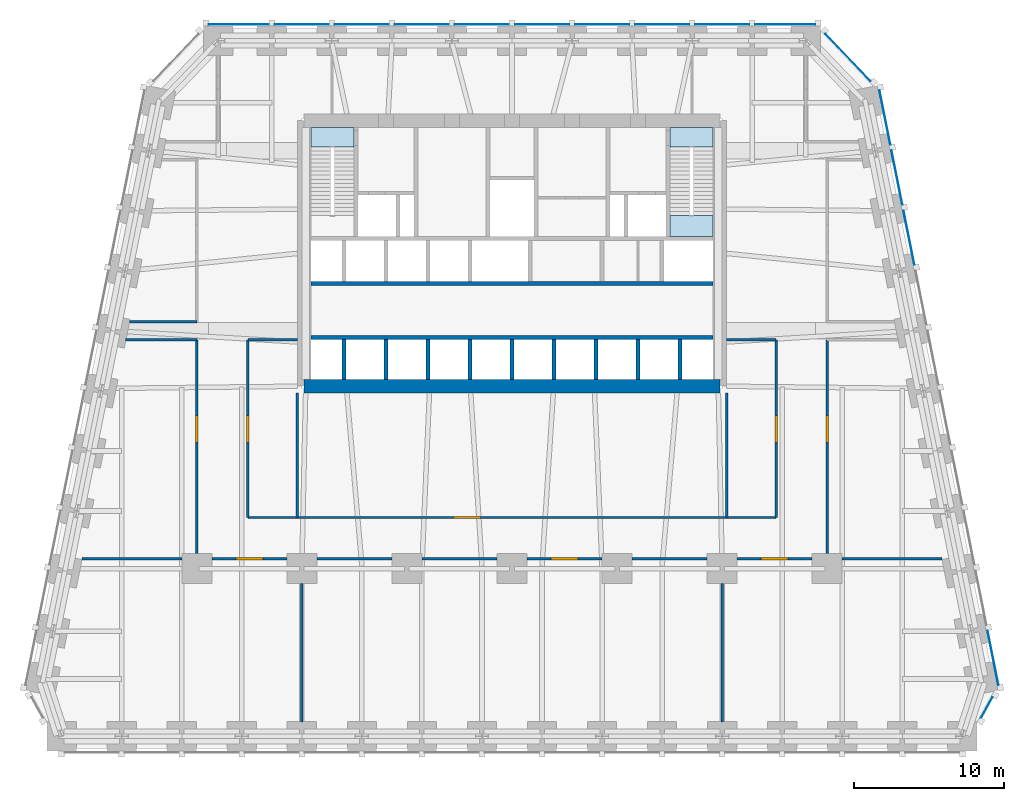
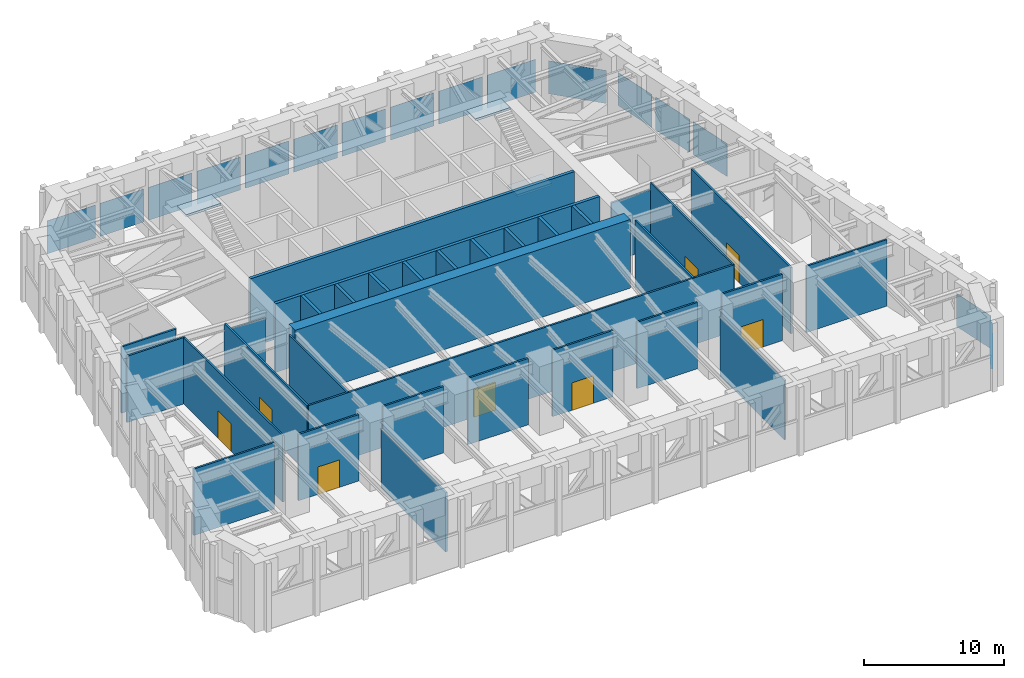
# One storey, part 6 of 9: 33 walls, 16 plates, 8 doors, 3 slabs, 8 openings, 6 elements without a shape of their own.
"""IFC4 building model written with IfcOpenShell, lengths in metres."""

from ifc_helpers import new_model, si_unit, direction, frame, frame_2d, origin, origin_2d, place, context, subcontext, project, spatial, polyline, rectangle, outline, extrude, material, layer, layer_set, type_object, element, fill, aggregate, save


model = new_model("IFC4")

# Units and contexts
model_context = context("Model", 3, precision=1e-05, world=origin(), true_north=direction((0.0, 1.0)))
body_context = subcontext(model_context, "Body", "Model", "MODEL_VIEW")
ifc_project = project(units=[si_unit("LENGTHUNIT", "METRE"), si_unit("AREAUNIT", "SQUARE_METRE"), si_unit("VOLUMEUNIT", "CUBIC_METRE"), si_unit("PLANEANGLEUNIT", "RADIAN"), si_unit("MASSUNIT", "GRAM", prefix="KILO")], contexts=[model_context])

# Site, building, storey
site_placement = place(None, origin())
site = spatial("IfcSite", under=ifc_project, at=site_placement, CompositionType="ELEMENT")
building_placement = place(site_placement, origin())
building = spatial("IfcBuilding", under=site, at=building_placement, Name="Isbrekke Arena Tower", CompositionType="ELEMENT")
storey_placement = place(building_placement, frame((0.0, 0.0, 92.0)))
storey = spatial("IfcBuildingStorey", under=building, at=storey_placement, Name="L20", CompositionType="ELEMENT", Elevation=92.0)

# Curtain wall, plate
ifc_material_1 = material(Name="Glazed aluminium curtain wall", Category="aluminium")
curtain_wall_type = type_object("IfcCurtainWallType", Name="CWR PLANT LOUVRE WALL", PredefinedType="USERDEFINED", material=ifc_material_1)
curtain_wall_1_placement = place(storey_placement, origin())
curtain_wall_1 = element("IfcCurtainWall", 1, at=curtain_wall_1_placement, inside=storey, type_object=curtain_wall_type, Name="CWR curtain wall L20-SE", ObjectType="PLANT LOUVRE WALL", PredefinedType="USERDEFINED")
ifc_material_2 = material(Name="Aluminium louvre", Category="aluminium")
ifc_layer_1 = layer(ifc_material_2, 0.031982421875)
ifc_layer_set_1 = layer_set([ifc_layer_1], Name="CWR-P LOUVRE PANEL")
plate_type = type_object("IfcPlateType", Name="CWR-P LOUVRE PANEL", PredefinedType="CURTAIN_PANEL", material=ifc_layer_set_1)
plate_1_placement = place(storey_placement, frame((31.62744140625, -15.24853515625, 0.02001953125), z_axis=(0.0, 0.0, 1.0), x_axis=(0.481918749773, 0.876215908676, 0.0)))
plate_1 = element("IfcPlate", 2, at=plate_1_placement, type_object=plate_type, Name="CWR-P panel 1", PredefinedType="CURTAIN_PANEL", context=body_context, shape_type="SweptSolid", body=[
    extrude(rectangle(XDim=1.55322265625, YDim=0.031982421875, at=origin_2d()), origin(), (0.0, 0.0, 1.0), 2.8798828125),
])
aggregate(curtain_wall_1, [plate_1])

# Curtain wall, plates
curtain_wall_2_placement = place(storey_placement, origin())
curtain_wall_2 = element("IfcCurtainWall", 3, at=curtain_wall_2_placement, inside=storey, type_object=curtain_wall_type, Name="CWR curtain wall L20-E", ObjectType="PLANT LOUVRE WALL", PredefinedType="USERDEFINED")
plate_2_placement = place(storey_placement, frame((32.045166015625, -11.950927734375, 0.02001953125), z_axis=(0.0, 0.0, 1.0), x_axis=(-0.196116135138, 0.980580675691, 0.0)))
plate_2 = element("IfcPlate", 4, at=plate_2_placement, type_object=plate_type, Name="CWR-P panel 1", PredefinedType="CURTAIN_PANEL", context=body_context, shape_type="SweptSolid", body=[
    extrude(rectangle(XDim=3.67919921875, YDim=0.031982421875, at=origin_2d()), origin(), (0.0, 0.0, 1.0), 2.8798828125),
])
plate_3_placement = place(storey_placement, frame((26.445068359375, 16.049072265625, 0.02001953125), z_axis=(0.0, 0.0, 1.0), x_axis=(-0.196116135138, 0.980580675691, 0.0)))
plate_3 = element("IfcPlate", 5, at=plate_3_placement, type_object=plate_type, Name="CWR-P panel 8", PredefinedType="CURTAIN_PANEL", context=body_context, shape_type="SweptSolid", body=[
    extrude(rectangle(XDim=3.67919921875, YDim=0.031982421875, at=origin_2d()), origin(), (0.0, 0.0, 1.0), 2.8798828125),
])
plate_4_placement = place(storey_placement, frame((25.645263671875, 20.049072265625, 0.02001953125), z_axis=(0.0, 0.0, 1.0), x_axis=(-0.196116135138, 0.980580675691, 0.0)))
plate_4 = element("IfcPlate", 6, at=plate_4_placement, type_object=plate_type, Name="CWR-P panel 9", PredefinedType="CURTAIN_PANEL", context=body_context, shape_type="SweptSolid", body=[
    extrude(rectangle(XDim=3.67919921875, YDim=0.031982421875, at=origin_2d()), origin(), (0.0, 0.0, 1.0), 2.8798828125),
])
plate_5_placement = place(storey_placement, frame((24.84521484375, 24.049072265625, 0.02001953125), z_axis=(0.0, 0.0, 1.0), x_axis=(-0.196116135138, 0.980580675691, 0.0)))
plate_5 = element("IfcPlate", 7, at=plate_5_placement, type_object=plate_type, Name="CWR-P panel 10", PredefinedType="CURTAIN_PANEL", context=body_context, shape_type="SweptSolid", body=[
    extrude(rectangle(XDim=3.67919921875, YDim=0.031982421875, at=origin_2d()), origin(), (0.0, 0.0, 1.0), 2.8798828125),
])
aggregate(curtain_wall_2, [plate_2, plate_3, plate_4, plate_5])

# Curtain wall, plate
curtain_wall_3_placement = place(storey_placement, origin())
curtain_wall_3 = element("IfcCurtainWall", 8, at=curtain_wall_3_placement, inside=storey, type_object=curtain_wall_type, Name="CWR curtain wall L20-EN", ObjectType="PLANT LOUVRE WALL", PredefinedType="USERDEFINED")
plate_6_placement = place(storey_placement, frame((22.386474609375, 28.05419921875, 0.02001953125), z_axis=(0.0, 0.0, 1.0), x_axis=(-0.68874946192, 0.72499943359, 0.0)))
plate_6 = element("IfcPlate", 9, at=plate_6_placement, type_object=plate_type, Name="CWR-P panel 1", PredefinedType="CURTAIN_PANEL", context=body_context, shape_type="SweptSolid", body=[
    extrude(rectangle(XDim=4.3291015625, YDim=0.031982421875, at=origin_2d()), origin(), (0.0, 0.0, 1.0), 2.8798828125),
])
aggregate(curtain_wall_3, [plate_6])

# Curtain wall, plates
curtain_wall_4_placement = place(storey_placement, origin())
curtain_wall_4 = element("IfcCurtainWall", 10, at=curtain_wall_4_placement, inside=storey, type_object=curtain_wall_type, Name="CWR curtain wall L20-N", ObjectType="PLANT LOUVRE WALL", PredefinedType="USERDEFINED")
plate_7_placement = place(storey_placement, frame((18.199951171875, 30.25, 0.02001953125), z_axis=(0.0, 0.0, 1.0), x_axis=(-1.0, 0.0, 0.0)))
plate_7 = element("IfcPlate", 11, at=plate_7_placement, type_object=plate_type, Name="CWR-P panel 1", PredefinedType="CURTAIN_PANEL", context=body_context, shape_type="SweptSolid", body=[
    extrude(rectangle(XDim=4.0, YDim=0.031982421875, at=origin_2d()), origin(), (0.0, 0.0, 1.0), 2.8798828125),
])
plate_8_placement = place(storey_placement, frame((14.0, 30.25, 0.02001953125), z_axis=(0.0, 0.0, 1.0), x_axis=(-1.0, 0.0, 0.0)))
plate_8 = element("IfcPlate", 12, at=plate_8_placement, type_object=plate_type, Name="CWR-P panel 2", PredefinedType="CURTAIN_PANEL", context=body_context, shape_type="SweptSolid", body=[
    extrude(rectangle(XDim=3.60009765625, YDim=0.031982421875, at=origin_2d()), origin(), (0.0, 0.0, 1.0), 2.8798828125),
])
plate_9_placement = place(storey_placement, frame((10.0, 30.25, 0.02001953125), z_axis=(0.0, 0.0, 1.0), x_axis=(-1.0, 0.0, 0.0)))
plate_9 = element("IfcPlate", 13, at=plate_9_placement, type_object=plate_type, Name="CWR-P panel 3", PredefinedType="CURTAIN_PANEL", context=body_context, shape_type="SweptSolid", body=[
    extrude(rectangle(XDim=3.60009765625, YDim=0.031982421875, at=origin_2d()), origin(), (0.0, 0.0, 1.0), 2.8798828125),
])
plate_10_placement = place(storey_placement, frame((6.0, 30.25, 0.02001953125), z_axis=(0.0, 0.0, 1.0), x_axis=(-1.0, 0.0, 0.0)))
plate_10 = element("IfcPlate", 14, at=plate_10_placement, type_object=plate_type, Name="CWR-P panel 4", PredefinedType="CURTAIN_PANEL", context=body_context, shape_type="SweptSolid", body=[
    extrude(rectangle(XDim=3.60009765625, YDim=0.031982421875, at=origin_2d()), origin(), (0.0, 0.0, 1.0), 2.8798828125),
])
plate_11_placement = place(storey_placement, frame((2.0, 30.25, 0.02001953125), z_axis=(0.0, 0.0, 1.0), x_axis=(-1.0, 0.0, 0.0)))
plate_11 = element("IfcPlate", 15, at=plate_11_placement, type_object=plate_type, Name="CWR-P panel 5", PredefinedType="CURTAIN_PANEL", context=body_context, shape_type="SweptSolid", body=[
    extrude(rectangle(XDim=3.60009765625, YDim=0.031982421875, at=origin_2d()), origin(), (0.0, 0.0, 1.0), 2.8798828125),
])
plate_12_placement = place(storey_placement, frame((-2.0, 30.25, 0.02001953125), z_axis=(0.0, 0.0, 1.0), x_axis=(-1.0, 0.0, 0.0)))
plate_12 = element("IfcPlate", 16, at=plate_12_placement, type_object=plate_type, Name="CWR-P panel 6", PredefinedType="CURTAIN_PANEL", context=body_context, shape_type="SweptSolid", body=[
    extrude(rectangle(XDim=3.60009765625, YDim=0.031982421875, at=origin_2d()), origin(), (0.0, 0.0, 1.0), 2.8798828125),
])
plate_13_placement = place(storey_placement, frame((-6.0, 30.25, 0.02001953125), z_axis=(0.0, 0.0, 1.0), x_axis=(-1.0, 0.0, 0.0)))
plate_13 = element("IfcPlate", 17, at=plate_13_placement, type_object=plate_type, Name="CWR-P panel 7", PredefinedType="CURTAIN_PANEL", context=body_context, shape_type="SweptSolid", body=[
    extrude(rectangle(XDim=3.60009765625, YDim=0.031982421875, at=origin_2d()), origin(), (0.0, 0.0, 1.0), 2.8798828125),
])
plate_14_placement = place(storey_placement, frame((-10.0, 30.25, 0.02001953125), z_axis=(0.0, 0.0, 1.0), x_axis=(-1.0, 0.0, 0.0)))
plate_14 = element("IfcPlate", 18, at=plate_14_placement, type_object=plate_type, Name="CWR-P panel 8", PredefinedType="CURTAIN_PANEL", context=body_context, shape_type="SweptSolid", body=[
    extrude(rectangle(XDim=3.60009765625, YDim=0.031982421875, at=origin_2d()), origin(), (0.0, 0.0, 1.0), 2.8798828125),
])
plate_15_placement = place(storey_placement, frame((-14.0, 30.25, 0.02001953125), z_axis=(0.0, 0.0, 1.0), x_axis=(-1.0, 0.0, 0.0)))
plate_15 = element("IfcPlate", 19, at=plate_15_placement, type_object=plate_type, Name="CWR-P panel 9", PredefinedType="CURTAIN_PANEL", context=body_context, shape_type="SweptSolid", body=[
    extrude(rectangle(XDim=3.60009765625, YDim=0.031982421875, at=origin_2d()), origin(), (0.0, 0.0, 1.0), 2.8798828125),
])
plate_16_placement = place(storey_placement, frame((-18.199951171875, 30.25, 0.02001953125), z_axis=(0.0, 0.0, 1.0), x_axis=(-1.0, 0.0, 0.0)))
plate_16 = element("IfcPlate", 20, at=plate_16_placement, type_object=plate_type, Name="CWR-P panel 10", PredefinedType="CURTAIN_PANEL", context=body_context, shape_type="SweptSolid", body=[
    extrude(rectangle(XDim=4.0, YDim=0.031982421875, at=origin_2d()), origin(), (0.0, 0.0, 1.0), 2.8798828125),
])
aggregate(curtain_wall_4, [plate_7, plate_8, plate_9, plate_10, plate_11, plate_12, plate_13, plate_14, plate_15, plate_16])

# Stair, slab
ifc_material_3 = material(Name="Concrete B45 (C45/55) precast", Category="concrete")
stair_type = type_object("IfcStairType", Name="ST60 STAIR 1300 WIDE, 36 RISERS 167", PredefinedType="HALF_TURN_STAIR", material=ifc_material_3)
stair_1_placement = place(storey_placement, origin())
stair_1 = element("IfcStair", 21, at=stair_1_placement, inside=storey, type_object=stair_type, Name="ST1 stair L20", PredefinedType="HALF_TURN_STAIR")
ifc_material_4 = material(Name="Concrete B35 (C35/45)", Category="concrete")
ifc_layer_2 = layer(ifc_material_4, 0.199951171875)
ifc_layer_set_2 = layer_set([ifc_layer_2], Name="SL1 STAIR LANDING 200")
slab_type = type_object("IfcSlabType", Name="SL1 STAIR LANDING 200", PredefinedType="LANDING", material=ifc_layer_set_2)
slab_1_placement = place(storey_placement, frame((0.0, 0.0, 5.800048828125)))
slab_1 = element("IfcSlab", 22, at=slab_1_placement, type_object=slab_type, Name="ST1 landing 2", PredefinedType="LANDING", context=body_context, shape_type="SweptSolid", body=[
    extrude(outline(polyline([(-13.39990234375, 22.10009765625), (-10.52490234375, 22.10009765625), (-10.52490234375, 23.39990234375), (-13.39990234375, 23.39990234375), (-13.39990234375, 22.10009765625)])), origin(), (0.0, 0.0, 1.0), 0.199951171875),
])
aggregate(stair_1, [slab_1])

# Stair, slabs
stair_2_placement = place(storey_placement, origin())
stair_2 = element("IfcStair", 23, at=stair_2_placement, inside=storey, type_object=stair_type, Name="ST2 stair L20", PredefinedType="HALF_TURN_STAIR")
slab_2_placement = place(storey_placement, frame((0.0, 0.0, 2.800048828125)))
slab_2 = element("IfcSlab", 24, at=slab_2_placement, type_object=slab_type, Name="ST2 landing 1", PredefinedType="LANDING", context=body_context, shape_type="SweptSolid", body=[
    extrude(outline(polyline([(10.52490234375, 16.125), (13.39990234375, 16.125), (13.39990234375, 17.510009765625), (10.52490234375, 17.510009765625), (10.52490234375, 16.125)])), origin(), (0.0, 0.0, 1.0), 0.199951171875),
])
slab_3_placement = place(storey_placement, frame((0.0, 0.0, 5.800048828125)))
slab_3 = element("IfcSlab", 25, at=slab_3_placement, type_object=slab_type, Name="ST2 landing 2", PredefinedType="LANDING", context=body_context, shape_type="SweptSolid", body=[
    extrude(outline(polyline([(10.52490234375, 22.10009765625), (13.39990234375, 22.10009765625), (13.39990234375, 23.39990234375), (10.52490234375, 23.39990234375), (10.52490234375, 22.10009765625)])), origin(), (0.0, 0.0, 1.0), 0.199951171875),
])
aggregate(stair_2, [slab_2, slab_3])

# Walls
ifc_material_5 = material(Name="Concrete B65 (C65/80)", Category="concrete")
ifc_layer_3 = layer(ifc_material_5, 0.89990234375)
ifc_layer_set_3 = layer_set([ifc_layer_3], Name="CW2 CORE WALL 900")
wall_type_1 = type_object("IfcWallType", Name="CW2 CORE WALL 900", PredefinedType="SHEAR", material=ifc_layer_set_3)
wall_1_placement = place(storey_placement, frame((-13.85009765625, 6.14990234375, 0.0), z_axis=(0.0, 0.0, 1.0), x_axis=(1.0, 0.0, 0.0)))
element("IfcWall", 26, at=wall_1_placement, inside=storey, type_object=wall_type_1, Name="Core wall S L20", PredefinedType="SHEAR", context=body_context, shape_type="SweptSolid", body=[
    extrude(rectangle(XDim=27.7001953125, YDim=0.89990234375, at=frame_2d((13.85009765625, 0.0))), origin(), (0.0, 0.0, 1.0), 6.0),
])
ifc_material_6 = material(Name="Concrete B45 (C45/55)", Category="concrete")
ifc_layer_4 = layer(ifc_material_6, 0.25)
ifc_layer_set_4 = layer_set([ifc_layer_4], Name="CW6 SHAFT WALL 250")
wall_type_2 = type_object("IfcWallType", Name="CW6 SHAFT WALL 250", PredefinedType="SHEAR", material=ifc_layer_set_4)
for number, where, z_axis, x_axis, name in (
    (27, (-13.39990234375, 9.39990234375, 0.0), (0.0, 0.0, 1.0), (1.0, 0.0, 0.0), "Core wall LS L20"),
    (28, (-13.39990234375, 13.0, 0.0), (0.0, 0.0, 1.0), (1.0, 0.0, 0.0), "Core wall LN L20"),
):
    element("IfcWall", number, at=place(storey_placement, frame(where, z_axis=z_axis, x_axis=x_axis)), inside=storey, type_object=wall_type_2, Name=name, PredefinedType="SHEAR", context=body_context, shape_type="SweptSolid", body=[
        extrude(rectangle(XDim=26.7998046875, YDim=0.25, at=frame_2d((13.39990234375, 0.0))), origin(), (0.0, 0.0, 1.0), 6.0),
    ])
for number, where, z_axis, x_axis, name in (
    (29, (-11.199951171875, 6.60009765625, 0.0), (0.0, 0.0, 1.0), (0.0, 1.0, 0.0), "Core wall SS01 L20"),
    (30, (-8.39990234375, 6.60009765625, 0.0), (0.0, 0.0, 1.0), (0.0, 1.0, 0.0), "Core wall SS02 L20"),
    (31, (-5.60009765625, 6.60009765625, 0.0), (0.0, 0.0, 1.0), (0.0, 1.0, 0.0), "Core wall SS03 L20"),
    (32, (-2.800048828125, 6.60009765625, 0.0), (0.0, 0.0, 1.0), (0.0, 1.0, 0.0), "Core wall SS04 L20"),
    (33, (0.0, 6.60009765625, 0.0), (0.0, 0.0, 1.0), (0.0, 1.0, 0.0), "Core wall SS05 L20"),
    (34, (2.800048828125, 6.60009765625, 0.0), (0.0, 0.0, 1.0), (0.0, 1.0, 0.0), "Core wall SS06 L20"),
    (35, (5.60009765625, 6.60009765625, 0.0), (0.0, 0.0, 1.0), (0.0, 1.0, 0.0), "Core wall SS07 L20"),
    (36, (8.39990234375, 6.60009765625, 0.0), (0.0, 0.0, 1.0), (0.0, 1.0, 0.0), "Core wall SS08 L20"),
    (37, (11.199951171875, 6.60009765625, 0.0), (0.0, 0.0, 1.0), (0.0, 1.0, 0.0), "Core wall SS09 L20"),
):
    element("IfcWall", number, at=place(storey_placement, frame(where, z_axis=z_axis, x_axis=x_axis)), inside=storey, type_object=wall_type_2, Name=name, PredefinedType="SHEAR", context=body_context, shape_type="SweptSolid", body=[
        extrude(rectangle(XDim=2.6748046875, YDim=0.25, at=frame_2d((1.33740234375, 0.0))), origin(), (0.0, 0.0, 1.0), 6.0),
    ])

# Wall, opening, door
ifc_material_7 = material(Name="Gypsum board fire-rated partition on steel studs, two layers each side", Category="steel")
ifc_layer_5 = layer(ifc_material_7, 0.14990234375)
ifc_layer_set_5 = layer_set([ifc_layer_5], Name="IW5 FIRE-RATED PARTITION 150")
wall_type_3 = type_object("IfcWallType", Name="IW5 FIRE-RATED PARTITION 150", PredefinedType="PARTITIONING", material=ifc_layer_set_5)
wall_2_placement = place(storey_placement, frame((17.60009765625, -2.60009765625, 0.0), z_axis=(0.0, 0.0, 1.0), x_axis=(0.0, 1.0, 0.0)))
wall_2 = element("IfcWall", 38, at=wall_2_placement, inside=storey, type_object=wall_type_3, Name="IW5 fire-rated partition L20 plant WEA", PredefinedType="PARTITIONING", context=body_context, shape_type="SweptSolid", body=[
    extrude(rectangle(XDim=11.840087890625, YDim=0.14990234375, at=frame_2d((5.919921875, 0.0))), origin(), (0.0, 0.0, 1.0), 5.800048828125),
])
opening_1_placement = place(wall_2_placement, frame((5.0, 0.0, 0.0)))
opening_1 = element("IfcOpeningElement", 39, at=opening_1_placement, cuts=wall_2, Name="Opening D8", PredefinedType="OPENING", context=body_context, shape_type="SweptSolid", body=[
    extrude(rectangle(XDim=1.800048828125, YDim=2.39990234375, at=frame_2d((0.89990234375, 1.199951171875))), frame((0.0, 0.08984375, 0.0), z_axis=(0.0, -1.0, 0.0), x_axis=(1.0, 0.0, 0.0)), (0.0, 0.0, 1.0), 0.1796875),
])
ifc_material_8 = material(Name="Steel fire door", Category="steel")
door_type = type_object("IfcDoorType", Name="D8 PLANT ROOM DOOR 1800 x 2400", OperationType="DOUBLE_DOOR_SINGLE_SWING", PredefinedType="DOOR", material=ifc_material_8)
door_1_placement = place(opening_1_placement, origin())
door_1 = element("IfcDoor", 40, at=door_1_placement, inside=storey, type_object=door_type, Name="D8 electrical switch room door L20", OperationType="DOUBLE_DOOR_SINGLE_SWING", OverallHeight=2.39990234375, OverallWidth=1.800048828125, PredefinedType="DOOR", context=body_context, shape_type="SweptSolid", body=[
    extrude(rectangle(XDim=1.800048828125, YDim=2.39990234375, at=frame_2d((0.89990234375, 1.199951171875))), frame((0.0, 0.07470703125, 0.0), z_axis=(0.0, -1.0, 0.0), x_axis=(1.0, 0.0, 0.0)), (0.0, 0.0, 1.0), 0.1494140625),
])
fill(opening_1, door_1)

wall_3_placement = place(storey_placement, frame((21.0, -5.0, 0.0), z_axis=(0.0, 0.0, 1.0), x_axis=(0.0, 1.0, 0.0)))
wall_3 = element("IfcWall", 41, at=wall_3_placement, inside=storey, type_object=wall_type_3, Name="IW5 fire-rated partition L20 plant WEB", PredefinedType="PARTITIONING", context=body_context, shape_type="SweptSolid", body=[
    extrude(rectangle(XDim=14.239990234375, YDim=0.14990234375, at=frame_2d((7.1201171875, 0.0))), origin(), (0.0, 0.0, 1.0), 5.800048828125),
])
opening_2_placement = place(wall_3_placement, frame((7.39990234375, 0.0, 0.0)))
opening_2 = element("IfcOpeningElement", 42, at=opening_2_placement, cuts=wall_3, Name="Opening D8", PredefinedType="OPENING", context=body_context, shape_type="SweptSolid", body=[
    extrude(rectangle(XDim=1.800048828125, YDim=2.39990234375, at=frame_2d((0.89990234375, 1.199951171875))), frame((0.0, 0.08984375, 0.0), z_axis=(0.0, -1.0, 0.0), x_axis=(1.0, 0.0, 0.0)), (0.0, 0.0, 1.0), 0.1796875),
])
door_2_placement = place(opening_2_placement, origin())
door_2 = element("IfcDoor", 43, at=door_2_placement, inside=storey, type_object=door_type, Name="D8 chilled water plant room door L20", OperationType="DOUBLE_DOOR_SINGLE_SWING", OverallHeight=2.39990234375, OverallWidth=1.800048828125, PredefinedType="DOOR", context=body_context, shape_type="SweptSolid", body=[
    extrude(rectangle(XDim=1.800048828125, YDim=2.39990234375, at=frame_2d((0.89990234375, 1.199951171875))), frame((0.0, 0.07470703125, 0.0), z_axis=(0.0, -1.0, 0.0), x_axis=(1.0, 0.0, 0.0)), (0.0, 0.0, 1.0), 0.1494140625),
])
fill(opening_2, door_2)

# Walls
wall_4_placement = place(storey_placement, frame((14.300048828125, -2.60009765625, 0.0), z_axis=(0.0, 0.0, 1.0), x_axis=(0.0, 1.0, 0.0)))
element("IfcWall", 44, at=wall_4_placement, inside=storey, type_object=wall_type_3, Name="IW5 fire-rated partition L20 plant WED", PredefinedType="PARTITIONING", context=body_context, shape_type="SweptSolid", body=[
    extrude(rectangle(XDim=8.300048828125, YDim=0.14990234375, at=frame_2d((4.14990234375, 0.0))), origin(), (0.0, 0.0, 1.0), 5.800048828125),
])
wall_5_placement = place(storey_placement, frame((14.300048828125, 9.239990234375, 0.0), z_axis=(0.0, 0.0, 1.0), x_axis=(1.0, 0.0, 0.0)))
element("IfcWall", 45, at=wall_5_placement, inside=storey, type_object=wall_type_3, Name="IW5 fire-rated partition L20 plant WEE", PredefinedType="PARTITIONING", context=body_context, shape_type="SweptSolid", body=[
    extrude(rectangle(XDim=3.300048828125, YDim=0.14990234375, at=frame_2d((1.64990234375, 0.0))), origin(), (0.0, 0.0, 1.0), 5.178955078125),
])
wall_6_placement = place(storey_placement, frame((14.0, -7.0, 0.0), z_axis=(0.0, 0.0, 1.0), x_axis=(0.0, -1.0, 0.0)))
element("IfcWall", 46, at=wall_6_placement, inside=storey, type_object=wall_type_3, Name="IW5 fire-rated partition L20 plant WEL", PredefinedType="PARTITIONING", context=body_context, shape_type="SweptSolid", body=[
    extrude(rectangle(XDim=9.219970703125, YDim=0.14990234375, at=frame_2d((4.60986328125, 0.0))), origin(), (0.0, 0.0, 1.0), 5.178955078125),
])

# Wall, opening, door
wall_7_placement = place(storey_placement, frame((-17.60009765625, -2.60009765625, 0.0), z_axis=(0.0, 0.0, 1.0), x_axis=(0.0, 1.0, 0.0)))
wall_7 = element("IfcWall", 47, at=wall_7_placement, inside=storey, type_object=wall_type_3, Name="IW5 fire-rated partition L20 plant WWA", PredefinedType="PARTITIONING", context=body_context, shape_type="SweptSolid", body=[
    extrude(rectangle(XDim=11.840087890625, YDim=0.14990234375, at=frame_2d((5.919921875, 0.0))), origin(), (0.0, 0.0, 1.0), 5.800048828125),
])
opening_3_placement = place(wall_7_placement, frame((5.0, 0.0, 0.0)))
opening_3 = element("IfcOpeningElement", 48, at=opening_3_placement, cuts=wall_7, Name="Opening D8", PredefinedType="OPENING", context=body_context, shape_type="SweptSolid", body=[
    extrude(rectangle(XDim=1.800048828125, YDim=2.39990234375, at=frame_2d((0.89990234375, 1.199951171875))), frame((0.0, 0.08984375, 0.0), z_axis=(0.0, -1.0, 0.0), x_axis=(1.0, 0.0, 0.0)), (0.0, 0.0, 1.0), 0.1796875),
])
door_3_placement = place(opening_3_placement, origin())
door_3 = element("IfcDoor", 49, at=door_3_placement, inside=storey, type_object=door_type, Name="D8 transformer and switch room door L20", OperationType="DOUBLE_DOOR_SINGLE_SWING", OverallHeight=2.39990234375, OverallWidth=1.800048828125, PredefinedType="DOOR", context=body_context, shape_type="SweptSolid", body=[
    extrude(rectangle(XDim=1.800048828125, YDim=2.39990234375, at=frame_2d((0.89990234375, 1.199951171875))), frame((0.0, 0.07470703125, 0.0), z_axis=(0.0, -1.0, 0.0), x_axis=(1.0, 0.0, 0.0)), (0.0, 0.0, 1.0), 0.1494140625),
])
fill(opening_3, door_3)

wall_8_placement = place(storey_placement, frame((-21.0, -5.0, 0.0), z_axis=(0.0, 0.0, 1.0), x_axis=(0.0, 1.0, 0.0)))
wall_8 = element("IfcWall", 50, at=wall_8_placement, inside=storey, type_object=wall_type_3, Name="IW5 fire-rated partition L20 plant WWB", PredefinedType="PARTITIONING", context=body_context, shape_type="SweptSolid", body=[
    extrude(rectangle(XDim=14.239990234375, YDim=0.14990234375, at=frame_2d((7.1201171875, 0.0))), origin(), (0.0, 0.0, 1.0), 5.800048828125),
])
opening_4_placement = place(wall_8_placement, frame((7.39990234375, 0.0, 0.0)))
opening_4 = element("IfcOpeningElement", 51, at=opening_4_placement, cuts=wall_8, Name="Opening D8", PredefinedType="OPENING", context=body_context, shape_type="SweptSolid", body=[
    extrude(rectangle(XDim=1.800048828125, YDim=2.39990234375, at=frame_2d((0.89990234375, 1.199951171875))), frame((0.0, 0.08984375, 0.0), z_axis=(0.0, -1.0, 0.0), x_axis=(1.0, 0.0, 0.0)), (0.0, 0.0, 1.0), 0.1796875),
])
door_4_placement = place(opening_4_placement, origin())
door_4 = element("IfcDoor", 52, at=door_4_placement, inside=storey, type_object=door_type, Name="D8 smoke extract plant room door L20", OperationType="DOUBLE_DOOR_SINGLE_SWING", OverallHeight=2.39990234375, OverallWidth=1.800048828125, PredefinedType="DOOR", context=body_context, shape_type="SweptSolid", body=[
    extrude(rectangle(XDim=1.800048828125, YDim=2.39990234375, at=frame_2d((0.89990234375, 1.199951171875))), frame((0.0, 0.07470703125, 0.0), z_axis=(0.0, -1.0, 0.0), x_axis=(1.0, 0.0, 0.0)), (0.0, 0.0, 1.0), 0.1494140625),
])
fill(opening_4, door_4)

# Walls
wall_9_placement = place(storey_placement, frame((-14.300048828125, -2.60009765625, 0.0), z_axis=(0.0, 0.0, 1.0), x_axis=(0.0, 1.0, 0.0)))
element("IfcWall", 53, at=wall_9_placement, inside=storey, type_object=wall_type_3, Name="IW5 fire-rated partition L20 plant WWD", PredefinedType="PARTITIONING", context=body_context, shape_type="SweptSolid", body=[
    extrude(rectangle(XDim=8.300048828125, YDim=0.14990234375, at=frame_2d((4.14990234375, 0.0))), origin(), (0.0, 0.0, 1.0), 5.800048828125),
])
wall_10_placement = place(storey_placement, frame((-14.300048828125, 9.239990234375, 0.0), z_axis=(0.0, 0.0, 1.0), x_axis=(-1.0, 0.0, 0.0)))
element("IfcWall", 54, at=wall_10_placement, inside=storey, type_object=wall_type_3, Name="IW5 fire-rated partition L20 plant WWE", PredefinedType="PARTITIONING", context=body_context, shape_type="SweptSolid", body=[
    extrude(rectangle(XDim=3.300048828125, YDim=0.14990234375, at=frame_2d((1.64990234375, 0.0))), origin(), (0.0, 0.0, 1.0), 5.178955078125),
])
wall_11_placement = place(storey_placement, frame((-21.0, 9.239990234375, 0.0), z_axis=(0.0, 0.0, 1.0), x_axis=(-1.0, 0.0, 0.0)))
element("IfcWall", 55, at=wall_11_placement, inside=storey, type_object=wall_type_3, Name="IW5 fire-rated partition L20 plant WWF", PredefinedType="PARTITIONING", context=body_context, shape_type="SweptSolid", body=[
    extrude(rectangle(XDim=4.73681640625, YDim=0.14990234375, at=frame_2d((2.368408203125, 0.0))), origin(), (0.0, 0.0, 1.0), 5.800048828125),
])
wall_12_placement = place(storey_placement, frame((-21.0, 10.43994140625, 0.0), z_axis=(0.0, 0.0, 1.0), x_axis=(-1.0, 0.0, 0.0)))
element("IfcWall", 56, at=wall_12_placement, inside=storey, type_object=wall_type_3, Name="IW5 fire-rated partition L20 plant WWG", PredefinedType="PARTITIONING", context=body_context, shape_type="SweptSolid", body=[
    extrude(rectangle(XDim=4.49658203125, YDim=0.14990234375, at=frame_2d((2.248291015625, 0.0))), origin(), (0.0, 0.0, 1.0), 5.800048828125),
])
wall_13_placement = place(storey_placement, frame((-14.0, -7.0, 0.0), z_axis=(0.0, 0.0, 1.0), x_axis=(0.0, -1.0, 0.0)))
element("IfcWall", 57, at=wall_13_placement, inside=storey, type_object=wall_type_3, Name="IW5 fire-rated partition L20 plant WWL", PredefinedType="PARTITIONING", context=body_context, shape_type="SweptSolid", body=[
    extrude(rectangle(XDim=9.219970703125, YDim=0.14990234375, at=frame_2d((4.60986328125, 0.0))), origin(), (0.0, 0.0, 1.0), 5.178955078125),
])
wall_14_placement = place(storey_placement, frame((-28.65478515625, -5.35009765625, 0.0), z_axis=(0.0, 0.0, 1.0), x_axis=(1.0, 0.0, 0.0)))
element("IfcWall", 58, at=wall_14_placement, inside=storey, type_object=wall_type_3, Name="IW5 fire-rated partition L20 plant WSa", PredefinedType="PARTITIONING", context=body_context, shape_type="SweptSolid", body=[
    extrude(rectangle(XDim=6.65478515625, YDim=0.14990234375, at=frame_2d((3.327392578125, 0.0))), origin(), (0.0, 0.0, 1.0), 5.800048828125),
])

# Wall, opening, door
wall_15_placement = place(storey_placement, frame((-20.0, -5.35009765625, 0.0), z_axis=(0.0, 0.0, 1.0), x_axis=(1.0, 0.0, 0.0)))
wall_15 = element("IfcWall", 59, at=wall_15_placement, inside=storey, type_object=wall_type_3, Name="IW5 fire-rated partition L20 plant WSb", PredefinedType="PARTITIONING", context=body_context, shape_type="SweptSolid", body=[
    extrude(rectangle(XDim=5.0, YDim=0.14990234375, at=frame_2d((2.5, 0.0))), origin(), (0.0, 0.0, 1.0), 5.800048828125),
])
opening_5_placement = place(wall_15_placement, frame((1.60009765625, 0.0, 0.0)))
opening_5 = element("IfcOpeningElement", 60, at=opening_5_placement, cuts=wall_15, Name="Opening D8", PredefinedType="OPENING", context=body_context, shape_type="SweptSolid", body=[
    extrude(rectangle(XDim=1.800048828125, YDim=2.39990234375, at=frame_2d((0.89990234375, 1.199951171875))), frame((0.0, 0.08984375, 0.0), z_axis=(0.0, -1.0, 0.0), x_axis=(1.0, 0.0, 0.0)), (0.0, 0.0, 1.0), 0.1796875),
])
door_5_placement = place(opening_5_placement, origin())
door_5 = element("IfcDoor", 61, at=door_5_placement, inside=storey, type_object=door_type, Name="D8 domestic water booster plant room door L20", OperationType="DOUBLE_DOOR_SINGLE_SWING", OverallHeight=2.39990234375, OverallWidth=1.800048828125, PredefinedType="DOOR", context=body_context, shape_type="SweptSolid", body=[
    extrude(rectangle(XDim=1.800048828125, YDim=2.39990234375, at=frame_2d((0.89990234375, 1.199951171875))), frame((0.0, 0.07470703125, 0.0), z_axis=(0.0, -1.0, 0.0), x_axis=(1.0, 0.0, 0.0)), (0.0, 0.0, 1.0), 0.1494140625),
])
fill(opening_5, door_5)

# Walls
for number, where, z_axis, x_axis, name in (
    (62, (-13.0, -5.35009765625, 0.0), (0.0, 0.0, 1.0), (1.0, 0.0, 0.0), "IW5 fire-rated partition L20 plant WSc"),
    (63, (-6.0, -5.35009765625, 0.0), (0.0, 0.0, 1.0), (1.0, 0.0, 0.0), "IW5 fire-rated partition L20 plant WSd"),
):
    element("IfcWall", number, at=place(storey_placement, frame(where, z_axis=z_axis, x_axis=x_axis)), inside=storey, type_object=wall_type_3, Name=name, PredefinedType="PARTITIONING", context=body_context, shape_type="SweptSolid", body=[
        extrude(rectangle(XDim=5.0, YDim=0.14990234375, at=frame_2d((2.5, 0.0))), origin(), (0.0, 0.0, 1.0), 5.800048828125),
    ])

# Wall, opening, door
wall_16_placement = place(storey_placement, frame((1.0, -5.35009765625, 0.0), z_axis=(0.0, 0.0, 1.0), x_axis=(1.0, 0.0, 0.0)))
wall_16 = element("IfcWall", 64, at=wall_16_placement, inside=storey, type_object=wall_type_3, Name="IW5 fire-rated partition L20 plant WSe", PredefinedType="PARTITIONING", context=body_context, shape_type="SweptSolid", body=[
    extrude(rectangle(XDim=5.0, YDim=0.14990234375, at=frame_2d((2.5, 0.0))), origin(), (0.0, 0.0, 1.0), 5.800048828125),
])
opening_6_placement = place(wall_16_placement, frame((1.60009765625, 0.0, 0.0)))
opening_6 = element("IfcOpeningElement", 65, at=opening_6_placement, cuts=wall_16, Name="Opening D8", PredefinedType="OPENING", context=body_context, shape_type="SweptSolid", body=[
    extrude(rectangle(XDim=1.800048828125, YDim=2.39990234375, at=frame_2d((0.89990234375, 1.199951171875))), frame((0.0, 0.08984375, 0.0), z_axis=(0.0, -1.0, 0.0), x_axis=(1.0, 0.0, 0.0)), (0.0, 0.0, 1.0), 0.1796875),
])
door_6_placement = place(opening_6_placement, origin())
door_6 = element("IfcDoor", 66, at=door_6_placement, inside=storey, type_object=door_type, Name="D8 district heating and cooling plant room door L20", OperationType="DOUBLE_DOOR_SINGLE_SWING", OverallHeight=2.39990234375, OverallWidth=1.800048828125, PredefinedType="DOOR", context=body_context, shape_type="SweptSolid", body=[
    extrude(rectangle(XDim=1.800048828125, YDim=2.39990234375, at=frame_2d((0.89990234375, 1.199951171875))), frame((0.0, 0.07470703125, 0.0), z_axis=(0.0, -1.0, 0.0), x_axis=(1.0, 0.0, 0.0)), (0.0, 0.0, 1.0), 0.1494140625),
])
fill(opening_6, door_6)

# Wall
wall_17_placement = place(storey_placement, frame((8.0, -5.35009765625, 0.0), z_axis=(0.0, 0.0, 1.0), x_axis=(1.0, 0.0, 0.0)))
element("IfcWall", 67, at=wall_17_placement, inside=storey, type_object=wall_type_3, Name="IW5 fire-rated partition L20 plant WSf", PredefinedType="PARTITIONING", context=body_context, shape_type="SweptSolid", body=[
    extrude(rectangle(XDim=5.0, YDim=0.14990234375, at=frame_2d((2.5, 0.0))), origin(), (0.0, 0.0, 1.0), 5.800048828125),
])

# Wall, opening, door
wall_18_placement = place(storey_placement, frame((15.0, -5.35009765625, 0.0), z_axis=(0.0, 0.0, 1.0), x_axis=(1.0, 0.0, 0.0)))
wall_18 = element("IfcWall", 68, at=wall_18_placement, inside=storey, type_object=wall_type_3, Name="IW5 fire-rated partition L20 plant WSg", PredefinedType="PARTITIONING", context=body_context, shape_type="SweptSolid", body=[
    extrude(rectangle(XDim=5.0, YDim=0.14990234375, at=frame_2d((2.5, 0.0))), origin(), (0.0, 0.0, 1.0), 5.800048828125),
])
opening_7_placement = place(wall_18_placement, frame((1.60009765625, 0.0, 0.0)))
opening_7 = element("IfcOpeningElement", 69, at=opening_7_placement, cuts=wall_18, Name="Opening D8", PredefinedType="OPENING", context=body_context, shape_type="SweptSolid", body=[
    extrude(rectangle(XDim=1.800048828125, YDim=2.39990234375, at=frame_2d((0.89990234375, 1.199951171875))), frame((0.0, 0.08984375, 0.0), z_axis=(0.0, -1.0, 0.0), x_axis=(1.0, 0.0, 0.0)), (0.0, 0.0, 1.0), 0.1796875),
])
door_7_placement = place(opening_7_placement, origin())
door_7 = element("IfcDoor", 70, at=door_7_placement, inside=storey, type_object=door_type, Name="D8 sprinkler tank and pump plant room door L20", OperationType="DOUBLE_DOOR_SINGLE_SWING", OverallHeight=2.39990234375, OverallWidth=1.800048828125, PredefinedType="DOOR", context=body_context, shape_type="SweptSolid", body=[
    extrude(rectangle(XDim=1.800048828125, YDim=2.39990234375, at=frame_2d((0.89990234375, 1.199951171875))), frame((0.0, 0.07470703125, 0.0), z_axis=(0.0, -1.0, 0.0), x_axis=(1.0, 0.0, 0.0)), (0.0, 0.0, 1.0), 0.1494140625),
])
fill(opening_7, door_7)

# Wall
wall_19_placement = place(storey_placement, frame((22.0, -5.35009765625, 0.0), z_axis=(0.0, 0.0, 1.0), x_axis=(1.0, 0.0, 0.0)))
element("IfcWall", 71, at=wall_19_placement, inside=storey, type_object=wall_type_3, Name="IW5 fire-rated partition L20 plant WSh", PredefinedType="PARTITIONING", context=body_context, shape_type="SweptSolid", body=[
    extrude(rectangle(XDim=6.65478515625, YDim=0.14990234375, at=frame_2d((3.327392578125, 0.0))), origin(), (0.0, 0.0, 1.0), 5.800048828125),
])

# Wall, opening, door
wall_20_placement = place(storey_placement, frame((-17.60009765625, -2.60009765625, 0.0), z_axis=(0.0, 0.0, 1.0), x_axis=(1.0, 0.0, 0.0)))
wall_20 = element("IfcWall", 72, at=wall_20_placement, inside=storey, type_object=wall_type_3, Name="IW5 fire-rated partition L20 plant WC", PredefinedType="PARTITIONING", context=body_context, shape_type="SweptSolid", body=[
    extrude(rectangle(XDim=35.2001953125, YDim=0.14990234375, at=frame_2d((17.60009765625, 0.0))), origin(), (0.0, 0.0, 1.0), 5.800048828125),
])
opening_8_placement = place(wall_20_placement, frame((13.699951171875, 0.0, 0.0)))
opening_8 = element("IfcOpeningElement", 73, at=opening_8_placement, cuts=wall_20, Name="Opening D8", PredefinedType="OPENING", context=body_context, shape_type="SweptSolid", body=[
    extrude(rectangle(XDim=1.800048828125, YDim=2.39990234375, at=frame_2d((0.89990234375, 1.199951171875))), frame((0.0, 0.08984375, 0.0), z_axis=(0.0, -1.0, 0.0), x_axis=(1.0, 0.0, 0.0)), (0.0, 0.0, 1.0), 0.1796875),
])
door_8_placement = place(opening_8_placement, origin())
door_8 = element("IfcDoor", 74, at=door_8_placement, inside=storey, type_object=door_type, Name="D8 air-handling plant room door L20", OperationType="DOUBLE_DOOR_SINGLE_SWING", OverallHeight=2.39990234375, OverallWidth=1.800048828125, PredefinedType="DOOR", context=body_context, shape_type="SweptSolid", body=[
    extrude(rectangle(XDim=1.800048828125, YDim=2.39990234375, at=frame_2d((0.89990234375, 1.199951171875))), frame((0.0, 0.07470703125, 0.0), z_axis=(0.0, -1.0, 0.0), x_axis=(1.0, 0.0, 0.0)), (0.0, 0.0, 1.0), 0.1494140625),
])
fill(opening_8, door_8)

save(model, "model.ifc")
